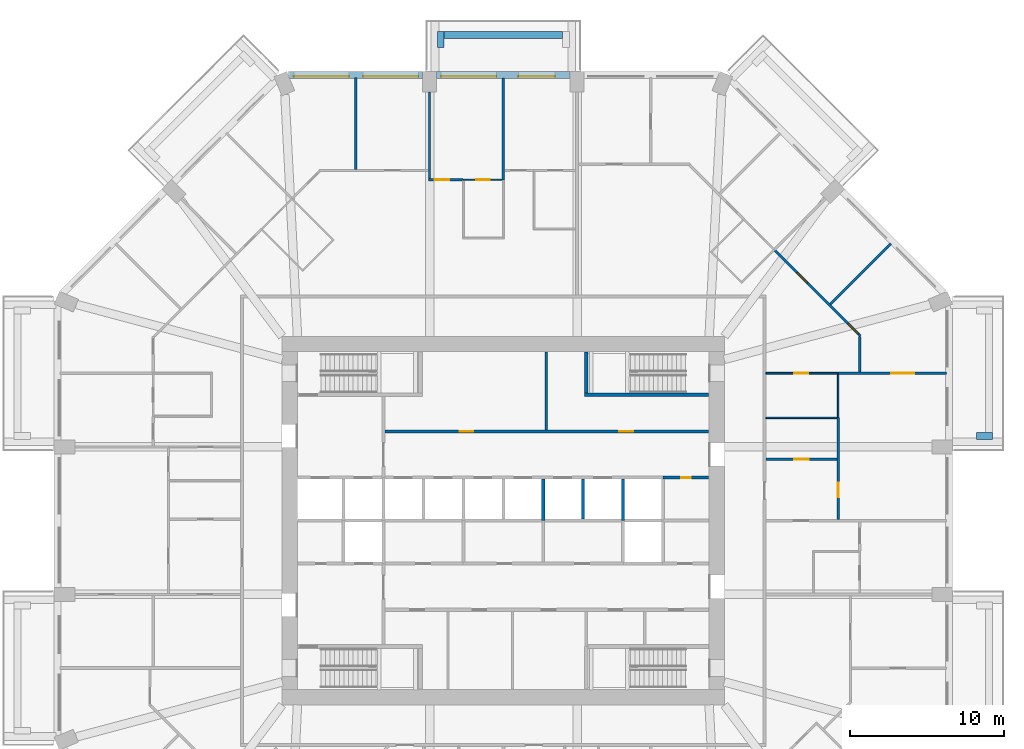
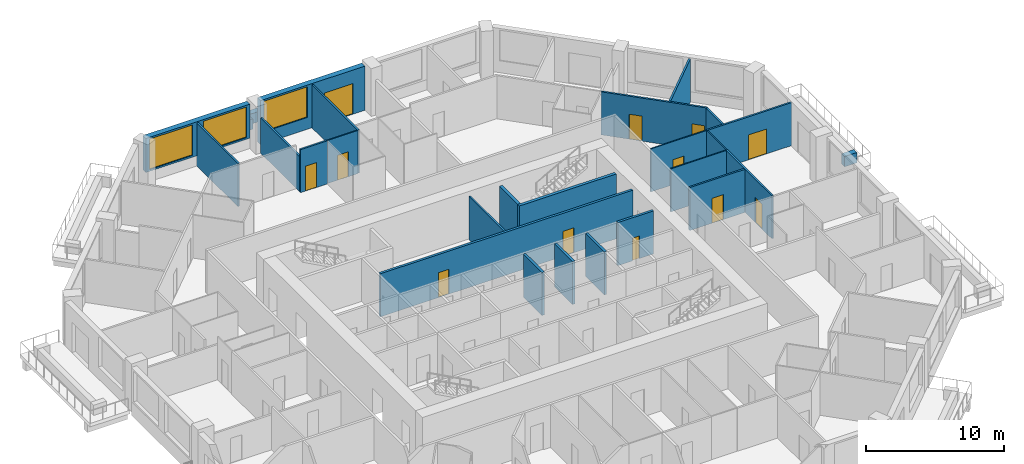
# One storey, part 9 of 13: 27 walls, 12 doors, 3 windows, 15 openings.
"""IFC4 building model written with IfcOpenShell, lengths in metres."""

from ifc_helpers import new_model, si_unit, direction, frame, frame_2d, origin, place, context, subcontext, project, spatial, rectangle, extrude, material, layer, layer_set, type_object, element, fill, save


model = new_model("IFC4")

# Units and contexts
model_context = context("Model", 3, precision=1e-05, world=origin(), true_north=direction((0.0, 1.0)))
body_context = subcontext(model_context, "Body", "Model", "MODEL_VIEW")
ifc_project = project(units=[si_unit("LENGTHUNIT", "METRE"), si_unit("AREAUNIT", "SQUARE_METRE"), si_unit("VOLUMEUNIT", "CUBIC_METRE"), si_unit("PLANEANGLEUNIT", "RADIAN"), si_unit("MASSUNIT", "GRAM", prefix="KILO")], contexts=[model_context])

# Site, building, storey
site_placement = place(None, origin())
site = spatial("IfcSite", under=ifc_project, at=site_placement, CompositionType="ELEMENT")
building_placement = place(site_placement, origin())
building = spatial("IfcBuilding", under=site, at=building_placement, Name="Msitu Wima Residences", CompositionType="ELEMENT")
storey_placement = place(building_placement, frame((0.0, 0.0, 92.699951171875)))
storey = spatial("IfcBuildingStorey", under=building, at=storey_placement, Name="L21", CompositionType="ELEMENT", Elevation=92.699951171875)

# Walls
ifc_material_1 = material(Name="Facing brick")
ifc_layer_1 = layer(ifc_material_1, 0.06494140625, Name="Facing brick")
ifc_material_2 = material(Name="Concrete C40/50", Category="concrete")
ifc_layer_2 = layer(ifc_material_2, 0.156005859375, Name="Concrete C40/50")
ifc_material_3 = material(Name="Waterproofing membrane")
ifc_layer_3 = layer(ifc_material_3, 0.00390625, Name="Waterproofing membrane")
ifc_material_4 = material(Name="Planting soil and planting")
ifc_layer_4 = layer(ifc_material_4, 0.22509765625, Name="Planting soil and planting")
ifc_layer_set_1 = layer_set([ifc_layer_1, ifc_layer_2, ifc_layer_3, ifc_layer_4], Name="Concrete C40/50")
wall_type_1 = type_object("IfcWallType", Name="Balcony planter PLANTER PL450", PredefinedType="USERDEFINED", material=ifc_layer_set_1)
wall_1_placement = place(storey_placement, frame((30.800048828125, 5.52490234375, 0.0), z_axis=(0.0, 0.0, 1.0), x_axis=(1.0, 0.0, 0.0)))
element("IfcWall", 1, at=wall_1_placement, inside=storey, type_object=wall_type_1, Name="Balcony planter E2 L21", ObjectType="PLANTER", PredefinedType="USERDEFINED", context=body_context, shape_type="SweptSolid", body=[
    extrude(rectangle(XDim=1.050048828125, YDim=0.449951171875, at=frame_2d((0.52490234375, 0.0))), origin(), (0.0, 0.0, 1.0), 0.900146484375),
])
wall_2_placement = place(storey_placement, frame((3.85009765625, 31.625, 0.0), z_axis=(0.0, 0.0, 1.0), x_axis=(-1.0, 0.0, 0.0)))
element("IfcWall", 2, at=wall_2_placement, inside=storey, type_object=wall_type_1, Name="Balcony planter N1 L21", ObjectType="PLANTER", PredefinedType="USERDEFINED", context=body_context, shape_type="SweptSolid", body=[
    extrude(rectangle(XDim=7.7001953125, YDim=0.449951171875, at=frame_2d((3.85009765625, 0.0))), origin(), (0.0, 0.0, 1.0), 0.900146484375),
])
wall_3_placement = place(storey_placement, frame((-4.074951171875, 30.800048828125, 0.0), z_axis=(0.0, 0.0, 1.0), x_axis=(0.0, 1.0, 0.0)))
element("IfcWall", 3, at=wall_3_placement, inside=storey, type_object=wall_type_1, Name="Balcony planter N1 L21", ObjectType="PLANTER", PredefinedType="USERDEFINED", context=body_context, shape_type="SweptSolid", body=[
    extrude(rectangle(XDim=1.050048828125, YDim=0.449951171875, at=frame_2d((0.52490234375, 0.0))), origin(), (0.0, 0.0, 1.0), 0.900146484375),
])

# Wall, openings, door, window
ifc_material_5 = material(Name="Brick (red buff mix)", Category="masonry")
ifc_layer_5 = layer(ifc_material_5, 0.449951171875)
ifc_layer_set_2 = layer_set([ifc_layer_5], Name="Brick (red buff mix)")
wall_type_2 = type_object("IfcWallType", Name="Brick infill wall BW450", PredefinedType="SOLIDWALL", material=ifc_layer_set_2)
wall_4_placement = place(storey_placement, frame((4.35009765625, 29.02490234375, 0.0), z_axis=(0.0, 0.0, 1.0), x_axis=(-1.0, 0.0, 0.0)))
wall_4 = element("IfcWall", 4, at=wall_4_placement, inside=storey, type_object=wall_type_2, Name="Brick infill wall L21 N1", PredefinedType="SOLIDWALL", context=body_context, shape_type="SweptSolid", body=[
    extrude(rectangle(XDim=8.7001953125, YDim=0.449951171875, at=frame_2d((4.35009765625, 0.0))), origin(), (0.0, 0.0, 1.0), 3.900146484375),
])
opening_1_placement = place(wall_4_placement, frame((0.97509765625, 0.0, 0.0)))
opening_1 = element("IfcOpeningElement", 5, at=opening_1_placement, cuts=wall_4, Name="Opening D21.003", PredefinedType="OPENING", context=body_context, shape_type="SweptSolid", body=[
    extrude(rectangle(XDim=2.39990234375, YDim=2.699951171875, at=frame_2d((1.199951171875, 1.35009765625))), frame((0.0, 0.23486328125, 0.0), z_axis=(0.0, -1.0, 0.0), x_axis=(1.0, 0.0, 0.0)), (0.0, 0.0, 1.0), 0.469970703125),
])
opening_2_placement = place(wall_4_placement, frame((4.800048828125, 0.0, 1.050048828125)))
opening_2 = element("IfcOpeningElement", 6, at=opening_2_placement, cuts=wall_4, Name="Opening W21.007", PredefinedType="OPENING", context=body_context, shape_type="SweptSolid", body=[
    extrude(rectangle(XDim=3.60009765625, YDim=2.699951171875, at=frame_2d((1.800048828125, 1.35009765625))), frame((0.0, 0.23486328125, 0.0), z_axis=(0.0, -1.0, 0.0), x_axis=(1.0, 0.0, 0.0)), (0.0, 0.0, 1.0), 0.469970703125),
])
ifc_material_6 = material(Name="Anodised aluminium, bronze finish, clear low-emissivity double glazing", Category="aluminium")
door_type_1 = type_object("IfcDoorType", Name="Balcony door D2400x2700", OperationType="SLIDING_TO_LEFT", PredefinedType="DOOR", material=ifc_material_6)
door_1_placement = place(opening_1_placement, origin())
door_1 = element("IfcDoor", 7, at=door_1_placement, inside=storey, type_object=door_type_1, Name="Balcony door L21 N1", OperationType="SINGLE_SWING_LEFT", OverallHeight=2.699951171875, OverallWidth=2.39990234375, PredefinedType="DOOR", context=body_context, shape_type="SweptSolid", body=[
    extrude(rectangle(XDim=2.39990234375, YDim=2.699951171875, at=frame_2d((1.199951171875, 1.35009765625))), frame((0.0, 0.1298828125, 0.0), z_axis=(0.0, -1.0, 0.0), x_axis=(1.0, 0.0, 0.0)), (0.0, 0.0, 1.0), 0.050048828125),
])
fill(opening_1, door_1)
window_type = type_object("IfcWindowType", Name="Window W3600x2700", PartitioningType="DOUBLE_PANEL_VERTICAL", PredefinedType="WINDOW", material=ifc_material_6)
window_1_placement = place(opening_2_placement, origin())
window_1 = element("IfcWindow", 8, at=window_1_placement, inside=storey, type_object=window_type, Name="Window L21 N1.2", OverallHeight=2.699951171875, OverallWidth=3.60009765625, PartitioningType="SINGLE_PANEL", PredefinedType="WINDOW", context=body_context, shape_type="SweptSolid", body=[
    extrude(rectangle(XDim=3.60009765625, YDim=2.699951171875, at=frame_2d((1.800048828125, 1.35009765625))), frame((0.0, 0.135009765625, 0.0), z_axis=(0.0, -1.0, 0.0), x_axis=(1.0, 0.0, 0.0)), (0.0, 0.0, 1.0), 0.06005859375),
])
fill(opening_2, window_1)

# Wall, openings, windows
wall_5_placement = place(storey_placement, frame((-5.25, 29.02490234375, 0.900146484375), z_axis=(0.0, 0.0, 1.0), x_axis=(-1.0, 0.0, 0.0)))
wall_5 = element("IfcWall", 9, at=wall_5_placement, inside=storey, type_object=wall_type_2, Name="Brick infill wall L21 N2", PredefinedType="SOLIDWALL", context=body_context, shape_type="SweptSolid", body=[
    extrude(rectangle(XDim=8.662841796875, YDim=0.449951171875, at=frame_2d((4.33154296875, 0.0))), origin(), (0.0, 0.0, 1.0), 3.0),
])
opening_3_placement = place(wall_5_placement, frame((0.281494140625, 0.0, 0.14990234375)))
opening_3 = element("IfcOpeningElement", 10, at=opening_3_placement, cuts=wall_5, Name="Opening W21.008", PredefinedType="OPENING", context=body_context, shape_type="SweptSolid", body=[
    extrude(rectangle(XDim=3.60009765625, YDim=2.699951171875, at=frame_2d((1.800048828125, 1.35009765625))), frame((0.0, 0.23486328125, 0.0), z_axis=(0.0, -1.0, 0.0), x_axis=(1.0, 0.0, 0.0)), (0.0, 0.0, 1.0), 0.469970703125),
])
opening_4_placement = place(wall_5_placement, frame((4.781494140625, 0.0, 0.14990234375)))
opening_4 = element("IfcOpeningElement", 11, at=opening_4_placement, cuts=wall_5, Name="Opening W21.009", PredefinedType="OPENING", context=body_context, shape_type="SweptSolid", body=[
    extrude(rectangle(XDim=3.60009765625, YDim=2.699951171875, at=frame_2d((1.800048828125, 1.35009765625))), frame((0.0, 0.23486328125, 0.0), z_axis=(0.0, -1.0, 0.0), x_axis=(1.0, 0.0, 0.0)), (0.0, 0.0, 1.0), 0.469970703125),
])
window_2_placement = place(opening_3_placement, origin())
window_2 = element("IfcWindow", 12, at=window_2_placement, inside=storey, type_object=window_type, Name="Window L21 N2.1", OverallHeight=2.699951171875, OverallWidth=3.60009765625, PartitioningType="SINGLE_PANEL", PredefinedType="WINDOW", context=body_context, shape_type="SweptSolid", body=[
    extrude(rectangle(XDim=3.60009765625, YDim=2.699951171875, at=frame_2d((1.800048828125, 1.35009765625))), frame((0.0, 0.135009765625, 0.0), z_axis=(0.0, -1.0, 0.0), x_axis=(1.0, 0.0, 0.0)), (0.0, 0.0, 1.0), 0.06005859375),
])
fill(opening_3, window_2)
window_3_placement = place(opening_4_placement, origin())
window_3 = element("IfcWindow", 13, at=window_3_placement, inside=storey, type_object=window_type, Name="Window L21 N2.2", OverallHeight=2.699951171875, OverallWidth=3.60009765625, PartitioningType="SINGLE_PANEL", PredefinedType="WINDOW", context=body_context, shape_type="SweptSolid", body=[
    extrude(rectangle(XDim=3.60009765625, YDim=2.699951171875, at=frame_2d((1.800048828125, 1.35009765625))), frame((0.0, 0.135009765625, 0.0), z_axis=(0.0, -1.0, 0.0), x_axis=(1.0, 0.0, 0.0)), (0.0, 0.0, 1.0), 0.06005859375),
])
fill(opening_4, window_3)

# Wall, openings, doors
ifc_material_7 = material(Name="Plaster")
ifc_layer_6 = layer(ifc_material_7, 0.011962890625, Name="Plaster")
ifc_material_8 = material(Name="Concrete blockwork", Category="masonry")
ifc_layer_7 = layer(ifc_material_8, 0.176025390625, Name="Concrete blockwork")
ifc_layer_8 = layer(ifc_material_7, 0.011962890625, Name="Plaster")
ifc_layer_set_3 = layer_set([ifc_layer_6, ifc_layer_7, ifc_layer_8], Name="Concrete blockwork")
wall_type_3 = type_object("IfcWallType", Name="Corridor wall FW200", PredefinedType="PARTITIONING", material=ifc_layer_set_3)
wall_6_placement = place(storey_placement, frame((-7.699951171875, 5.800048828125, 0.0), z_axis=(0.0, 0.0, 1.0), x_axis=(1.0, 0.0, 0.0)))
wall_6 = element("IfcWall", 14, at=wall_6_placement, inside=storey, type_object=wall_type_3, Name="Corridor wall", PredefinedType="PARTITIONING", context=body_context, shape_type="SweptSolid", body=[
    extrude(rectangle(XDim=21.070068359375, YDim=0.199951171875, at=frame_2d((10.53515625, 0.0))), origin(), (0.0, 0.0, 1.0), 3.798095703125),
])
opening_5_placement = place(wall_6_placement, frame((4.85009765625, 0.0, 0.0)))
opening_5 = element("IfcOpeningElement", 15, at=opening_5_placement, cuts=wall_6, Name="Opening D21.020", PredefinedType="OPENING", context=body_context, shape_type="SweptSolid", body=[
    extrude(rectangle(XDim=0.89990234375, YDim=2.199951171875, at=frame_2d((0.449951171875, 1.10009765625))), frame((0.0, 0.10986328125, 0.0), z_axis=(0.0, -1.0, 0.0), x_axis=(1.0, 0.0, 0.0)), (0.0, 0.0, 1.0), 0.219970703125),
])
opening_6_placement = place(wall_6_placement, frame((15.25, 0.0, 0.0)))
opening_6 = element("IfcOpeningElement", 16, at=opening_6_placement, cuts=wall_6, Name="Opening D21.021", PredefinedType="OPENING", context=body_context, shape_type="SweptSolid", body=[
    extrude(rectangle(XDim=0.89990234375, YDim=2.199951171875, at=frame_2d((0.449951171875, 1.10009765625))), frame((0.0, 0.10986328125, 0.0), z_axis=(0.0, -1.0, 0.0), x_axis=(1.0, 0.0, 0.0)), (0.0, 0.0, 1.0), 0.219970703125),
])
ifc_material_9 = material(Name="Timber flush door", Category="wood")
door_type_2 = type_object("IfcDoorType", Name="Service door D05 900x2200", OperationType="SINGLE_SWING_LEFT", PredefinedType="DOOR", material=ifc_material_9)
door_2_placement = place(opening_5_placement, origin())
door_2 = element("IfcDoor", 17, at=door_2_placement, inside=storey, type_object=door_type_2, Name="Service door", OperationType="SINGLE_SWING_LEFT", OverallHeight=2.199951171875, OverallWidth=0.89990234375, PredefinedType="DOOR", context=body_context, shape_type="SweptSolid", body=[
    extrude(rectangle(XDim=0.89990234375, YDim=2.199951171875, at=frame_2d((0.449951171875, 1.10009765625))), frame((0.0, 0.02490234375, 0.0), z_axis=(0.0, -1.0, 0.0), x_axis=(1.0, 0.0, 0.0)), (0.0, 0.0, 1.0), 0.050048828125),
])
fill(opening_5, door_2)
door_3_placement = place(opening_6_placement, origin())
door_3 = element("IfcDoor", 18, at=door_3_placement, inside=storey, type_object=door_type_2, Name="Service door", OperationType="SINGLE_SWING_RIGHT", OverallHeight=2.199951171875, OverallWidth=0.89990234375, PredefinedType="DOOR", context=body_context, shape_type="SweptSolid", body=[
    extrude(rectangle(XDim=0.89990234375, YDim=2.199951171875, at=frame_2d((0.449951171875, 1.10009765625))), frame((0.0, 0.02490234375, 0.0), z_axis=(0.0, -1.0, 0.0), x_axis=(1.0, 0.0, 0.0)), (0.0, 0.0, 1.0), 0.050048828125),
])
fill(opening_6, door_3)

# Walls
ifc_layer_9 = layer(ifc_material_7, 0.011962890625, Name="Plaster")
ifc_layer_10 = layer(ifc_material_8, 0.1259765625, Name="Concrete blockwork")
ifc_layer_11 = layer(ifc_material_7, 0.011962890625, Name="Plaster")
ifc_layer_set_4 = layer_set([ifc_layer_9, ifc_layer_10, ifc_layer_11], Name="Concrete blockwork")
wall_type_4 = type_object("IfcWallType", Name="Partition PW150", PredefinedType="PARTITIONING", material=ifc_layer_set_4)
wall_7_placement = place(storey_placement, frame((-9.60009765625, 22.875, 0.0), z_axis=(0.0, 0.0, 1.0), x_axis=(0.0, 1.0, 0.0)))
element("IfcWall", 19, at=wall_7_placement, inside=storey, type_object=wall_type_4, Name="Partition", PredefinedType="PARTITIONING", context=body_context, shape_type="SweptSolid", body=[
    extrude(rectangle(XDim=5.97998046875, YDim=0.14990234375, at=frame_2d((2.989990234375, 0.0))), origin(), (0.0, 0.0, 1.0), 3.798095703125),
])
wall_8_placement = place(storey_placement, frame((-4.800048828125, 22.27490234375, 0.0), z_axis=(0.0, 0.0, 1.0), x_axis=(0.0, 1.0, 0.0)))
element("IfcWall", 20, at=wall_8_placement, inside=storey, type_object=wall_type_4, Name="Partition", PredefinedType="PARTITIONING", context=body_context, shape_type="SweptSolid", body=[
    extrude(rectangle(XDim=5.625, YDim=0.14990234375, at=frame_2d((2.8125, 0.0))), origin(), (0.0, 0.0, 1.0), 3.10009765625),
])

# Wall, opening, door
wall_9_placement = place(storey_placement, frame((-4.875, 22.199951171875, 0.0), z_axis=(0.0, 0.0, 1.0), x_axis=(1.0, 0.0, 0.0)))
wall_9 = element("IfcWall", 21, at=wall_9_placement, inside=storey, type_object=wall_type_4, Name="Partition", PredefinedType="PARTITIONING", context=body_context, shape_type="SweptSolid", body=[
    extrude(rectangle(XDim=2.2548828125, YDim=0.14990234375, at=frame_2d((1.12744140625, 0.0))), origin(), (0.0, 0.0, 1.0), 3.798095703125),
])
opening_7_placement = place(wall_9_placement, frame((0.39990234375, 0.0, 0.0)))
opening_7 = element("IfcOpeningElement", 22, at=opening_7_placement, cuts=wall_9, Name="Opening D21.060", PredefinedType="OPENING", context=body_context, shape_type="SweptSolid", body=[
    extrude(rectangle(XDim=0.949951171875, YDim=2.199951171875, at=frame_2d((0.47509765625, 1.10009765625))), frame((0.0, 0.0849609375, 0.0), z_axis=(0.0, -1.0, 0.0), x_axis=(1.0, 0.0, 0.0)), (0.0, 0.0, 1.0), 0.169921875),
])
door_type_3 = type_object("IfcDoorType", Name="Room door D12 950x2200", OperationType="SINGLE_SWING_LEFT", PredefinedType="DOOR", material=ifc_material_9)
door_4_placement = place(opening_7_placement, origin())
door_4 = element("IfcDoor", 23, at=door_4_placement, inside=storey, type_object=door_type_3, Name="Room door", OperationType="SINGLE_SWING_LEFT", OverallHeight=2.199951171875, OverallWidth=0.949951171875, PredefinedType="DOOR", context=body_context, shape_type="SweptSolid", body=[
    extrude(rectangle(XDim=0.949951171875, YDim=2.199951171875, at=frame_2d((0.47509765625, 1.10009765625))), frame((0.0, 0.02490234375, 0.0), z_axis=(0.0, -1.0, 0.0), x_axis=(1.0, 0.0, 0.0)), (0.0, 0.0, 1.0), 0.050048828125),
])
fill(opening_7, door_4)

# Walls
wall_10_placement = place(storey_placement, frame((0.0, 22.179931640625, 0.0), z_axis=(0.0, 0.0, 1.0), x_axis=(0.0, 1.0, 0.0)))
element("IfcWall", 24, at=wall_10_placement, inside=storey, type_object=wall_type_4, Name="Partition", PredefinedType="PARTITIONING", context=body_context, shape_type="SweptSolid", body=[
    extrude(rectangle(XDim=6.64501953125, YDim=0.14990234375, at=frame_2d((3.322509765625, 0.0))), origin(), (0.0, 0.0, 1.0), 3.798095703125),
])
wall_11_placement = place(storey_placement, frame((2.800048828125, 5.89990234375, 0.0), z_axis=(0.0, 0.0, 1.0), x_axis=(0.0, 1.0, 0.0)))
element("IfcWall", 25, at=wall_11_placement, inside=storey, type_object=wall_type_4, Name="Partition", PredefinedType="PARTITIONING", context=body_context, shape_type="SweptSolid", body=[
    extrude(rectangle(XDim=5.070068359375, YDim=0.14990234375, at=frame_2d((2.53515625, 0.0))), origin(), (0.0, 0.0, 1.0), 3.798095703125),
])

# Wall, opening, door
wall_12_placement = place(storey_placement, frame((17.10009765625, 4.0, 0.0), z_axis=(0.0, 0.0, 1.0), x_axis=(1.0, 0.0, 0.0)))
wall_12 = element("IfcWall", 26, at=wall_12_placement, inside=storey, type_object=wall_type_4, Name="Partition", PredefinedType="PARTITIONING", context=body_context, shape_type="SweptSolid", body=[
    extrude(rectangle(XDim=4.625, YDim=0.14990234375, at=frame_2d((2.3125, 0.0))), origin(), (0.0, 0.0, 1.0), 3.798095703125),
])
opening_8_placement = place(wall_12_placement, frame((1.85009765625, 0.0, 0.0)))
opening_8 = element("IfcOpeningElement", 27, at=opening_8_placement, cuts=wall_12, Name="Opening D21.086", PredefinedType="OPENING", context=body_context, shape_type="SweptSolid", body=[
    extrude(rectangle(XDim=0.949951171875, YDim=2.199951171875, at=frame_2d((0.47509765625, 1.10009765625))), frame((0.0, 0.0849609375, 0.0), z_axis=(0.0, -1.0, 0.0), x_axis=(1.0, 0.0, 0.0)), (0.0, 0.0, 1.0), 0.169921875),
])
door_5_placement = place(opening_8_placement, origin())
door_5 = element("IfcDoor", 28, at=door_5_placement, inside=storey, type_object=door_type_3, Name="Room door", OperationType="SINGLE_SWING_RIGHT", OverallHeight=2.199951171875, OverallWidth=0.949951171875, PredefinedType="DOOR", context=body_context, shape_type="SweptSolid", body=[
    extrude(rectangle(XDim=0.949951171875, YDim=2.199951171875, at=frame_2d((0.47509765625, 1.10009765625))), frame((0.0, 0.02490234375, 0.0), z_axis=(0.0, -1.0, 0.0), x_axis=(1.0, 0.0, 0.0)), (0.0, 0.0, 1.0), 0.050048828125),
])
fill(opening_8, door_5)

# Wall, openings, doors
wall_13_placement = place(storey_placement, frame((17.64013671875, 17.64013671875, 0.0), z_axis=(0.0, 0.0, 1.0), x_axis=(0.707106781187, -0.707106781187, 0.0)))
wall_13 = element("IfcWall", 29, at=wall_13_placement, inside=storey, type_object=wall_type_4, Name="Partition", PredefinedType="PARTITIONING", context=body_context, shape_type="SweptSolid", body=[
    extrude(rectangle(XDim=7.937744140625, YDim=0.14990234375, at=frame_2d((3.96875, 0.0))), origin(), (0.0, 0.0, 1.0), 3.798095703125),
])
opening_9_placement = place(wall_13_placement, frame((6.800048828125, 0.0, 0.0)))
opening_9 = element("IfcOpeningElement", 30, at=opening_9_placement, cuts=wall_13, Name="Opening D21.087", PredefinedType="OPENING", context=body_context, shape_type="SweptSolid", body=[
    extrude(rectangle(XDim=0.949951171875, YDim=2.199951171875, at=frame_2d((0.47509765625, 1.10009765625))), frame((0.0, 0.0849609375, 0.0), z_axis=(0.0, -1.0, 0.0), x_axis=(1.0, 0.0, 0.0)), (0.0, 0.0, 1.0), 0.169921875),
])
opening_10_placement = place(wall_13_placement, frame((2.10009765625, 0.0, 0.0)))
opening_10 = element("IfcOpeningElement", 31, at=opening_10_placement, cuts=wall_13, Name="Opening D21.088", PredefinedType="OPENING", context=body_context, shape_type="SweptSolid", body=[
    extrude(rectangle(XDim=0.949951171875, YDim=2.199951171875, at=frame_2d((0.47509765625, 1.10009765625))), frame((0.0, 0.0849609375, 0.0), z_axis=(0.0, -1.0, 0.0), x_axis=(1.0, 0.0, 0.0)), (0.0, 0.0, 1.0), 0.169921875),
])
door_6_placement = place(opening_9_placement, origin())
door_6 = element("IfcDoor", 32, at=door_6_placement, inside=storey, type_object=door_type_3, Name="Room door", OperationType="SINGLE_SWING_LEFT", OverallHeight=2.199951171875, OverallWidth=0.949951171875, PredefinedType="DOOR", context=body_context, shape_type="SweptSolid", body=[
    extrude(rectangle(XDim=0.949951171875, YDim=2.199951171875, at=frame_2d((0.47509765625, 1.10009765625))), frame((0.0, 0.02490234375, 0.0), z_axis=(0.0, -1.0, 0.0), x_axis=(1.0, 0.0, 0.0)), (0.0, 0.0, 1.0), 0.050048828125),
])
fill(opening_9, door_6)
door_7_placement = place(opening_10_placement, origin())
door_7 = element("IfcDoor", 33, at=door_7_placement, inside=storey, type_object=door_type_3, Name="Room door", OperationType="SINGLE_SWING_RIGHT", OverallHeight=2.199951171875, OverallWidth=0.949951171875, PredefinedType="DOOR", context=body_context, shape_type="SweptSolid", body=[
    extrude(rectangle(XDim=0.949951171875, YDim=2.199951171875, at=frame_2d((0.47509765625, 1.10009765625))), frame((0.0, 0.02490234375, 0.0), z_axis=(0.0, -1.0, 0.0), x_axis=(1.0, 0.0, 0.0)), (0.0, 0.0, 1.0), 0.050048828125),
])
fill(opening_10, door_7)

# Wall
wall_14_placement = place(storey_placement, frame((21.293212890625, 14.09326171875, 0.0), z_axis=(0.0, 0.0, 1.0), x_axis=(0.707106781187, 0.707106781187, 0.0)))
element("IfcWall", 34, at=wall_14_placement, inside=storey, type_object=wall_type_4, Name="Partition", PredefinedType="PARTITIONING", context=body_context, shape_type="SweptSolid", body=[
    extrude(rectangle(XDim=5.579833984375, YDim=0.14990234375, at=frame_2d((2.7900390625, 0.0))), origin(), (0.0, 0.0, 1.0), 3.798095703125),
])

# Wall, opening, door
wall_15_placement = place(storey_placement, frame((21.800048828125, 0.074951171875, 0.0), z_axis=(0.0, 0.0, 1.0), x_axis=(0.0, 1.0, 0.0)))
wall_15 = element("IfcWall", 35, at=wall_15_placement, inside=storey, type_object=wall_type_4, Name="Partition", PredefinedType="PARTITIONING", context=body_context, shape_type="SweptSolid", body=[
    extrude(rectangle(XDim=6.64501953125, YDim=0.14990234375, at=frame_2d((3.322509765625, 0.0))), origin(), (0.0, 0.0, 1.0), 3.798095703125),
])
opening_11_placement = place(wall_15_placement, frame((1.449951171875, 0.0, 0.0)))
opening_11 = element("IfcOpeningElement", 36, at=opening_11_placement, cuts=wall_15, Name="Opening D21.051", PredefinedType="OPENING", context=body_context, shape_type="SweptSolid", body=[
    extrude(rectangle(XDim=0.949951171875, YDim=2.199951171875, at=frame_2d((0.47509765625, 1.10009765625))), frame((0.0, 0.0849609375, 0.0), z_axis=(0.0, -1.0, 0.0), x_axis=(1.0, 0.0, 0.0)), (0.0, 0.0, 1.0), 0.169921875),
])
door_8_placement = place(opening_11_placement, origin())
door_8 = element("IfcDoor", 37, at=door_8_placement, inside=storey, type_object=door_type_3, Name="Room door", OperationType="SINGLE_SWING_RIGHT", OverallHeight=2.199951171875, OverallWidth=0.949951171875, PredefinedType="DOOR", context=body_context, shape_type="SweptSolid", body=[
    extrude(rectangle(XDim=0.949951171875, YDim=2.199951171875, at=frame_2d((0.47509765625, 1.10009765625))), frame((0.0, 0.02490234375, 0.0), z_axis=(0.0, -1.0, 0.0), x_axis=(1.0, 0.0, 0.0)), (0.0, 0.0, 1.0), 0.050048828125),
])
fill(opening_11, door_8)

wall_16_placement = place(storey_placement, frame((21.800048828125, 9.60009765625, 0.0), z_axis=(0.0, 0.0, 1.0), x_axis=(1.0, 0.0, 0.0)))
wall_16 = element("IfcWall", 38, at=wall_16_placement, inside=storey, type_object=wall_type_4, Name="Partition", PredefinedType="PARTITIONING", context=body_context, shape_type="SweptSolid", body=[
    extrude(rectangle(XDim=7.054931640625, YDim=0.14990234375, at=frame_2d((3.52734375, 0.0))), origin(), (0.0, 0.0, 1.0), 3.798095703125),
])
opening_12_placement = place(wall_16_placement, frame((3.449951171875, 0.0, 0.0)))
opening_12 = element("IfcOpeningElement", 39, at=opening_12_placement, cuts=wall_16, Name="Opening D21.062", PredefinedType="OPENING", context=body_context, shape_type="SweptSolid", body=[
    extrude(rectangle(XDim=1.5, YDim=2.199951171875, at=frame_2d((0.75, 1.10009765625))), frame((0.0, 0.0849609375, 0.0), z_axis=(0.0, -1.0, 0.0), x_axis=(1.0, 0.0, 0.0)), (0.0, 0.0, 1.0), 0.169921875),
])
ifc_material_10 = material(Name="Timber double door", Category="wood")
door_type_4 = type_object("IfcDoorType", Name="Double door D04 1500x2200", OperationType="DOUBLE_DOOR_SINGLE_SWING", PredefinedType="DOOR", material=ifc_material_10)
door_9_placement = place(opening_12_placement, origin())
door_9 = element("IfcDoor", 40, at=door_9_placement, inside=storey, type_object=door_type_4, Name="Double door", OperationType="DOUBLE_DOOR_SINGLE_SWING", OverallHeight=2.199951171875, OverallWidth=1.5, PredefinedType="DOOR", context=body_context, shape_type="SweptSolid", body=[
    extrude(rectangle(XDim=1.5, YDim=2.199951171875, at=frame_2d((0.75, 1.10009765625))), frame((0.0, 0.02490234375, 0.0), z_axis=(0.0, -1.0, 0.0), x_axis=(1.0, 0.0, 0.0)), (0.0, 0.0, 1.0), 0.050048828125),
])
fill(opening_12, door_9)

# Wall
wall_17_placement = place(storey_placement, frame((23.199951171875, 9.675048828125, 0.0), z_axis=(0.0, 0.0, 1.0), x_axis=(0.0, 1.0, 0.0)))
element("IfcWall", 41, at=wall_17_placement, inside=storey, type_object=wall_type_4, Name="Partition", PredefinedType="PARTITIONING", context=body_context, shape_type="SweptSolid", body=[
    extrude(rectangle(XDim=2.330322265625, YDim=0.14990234375, at=frame_2d((1.1650390625, 0.0))), origin(), (0.0, 0.0, 1.0), 3.798095703125),
])

# Wall, opening, door
ifc_layer_12 = layer(ifc_material_7, 0.011962890625, Name="Plaster")
ifc_material_11 = material(Name="Reinforced concrete blockwork", Category="masonry")
ifc_layer_13 = layer(ifc_material_11, 0.176025390625, Name="Reinforced concrete blockwork")
ifc_layer_14 = layer(ifc_material_7, 0.011962890625, Name="Plaster")
ifc_layer_set_5 = layer_set([ifc_layer_12, ifc_layer_13, ifc_layer_14], Name="Reinforced concrete blockwork")
wall_type_5 = type_object("IfcWallType", Name="Plant and riser wall PL200", PredefinedType="PARTITIONING", material=ifc_layer_set_5)
wall_18_placement = place(storey_placement, frame((10.39990234375, 2.800048828125, 0.0), z_axis=(0.0, 0.0, 1.0), x_axis=(1.0, 0.0, 0.0)))
wall_18 = element("IfcWall", 42, at=wall_18_placement, inside=storey, type_object=wall_type_5, Name="Plant and riser wall", PredefinedType="PARTITIONING", context=body_context, shape_type="SweptSolid", body=[
    extrude(rectangle(XDim=2.97021484375, YDim=0.199951171875, at=frame_2d((1.485107421875, 0.0))), origin(), (0.0, 0.0, 1.0), 3.798095703125),
])
opening_13_placement = place(wall_18_placement, frame((1.199951171875, 0.0, 0.0)))
opening_13 = element("IfcOpeningElement", 43, at=opening_13_placement, cuts=wall_18, Name="Opening D21.029", PredefinedType="OPENING", context=body_context, shape_type="SweptSolid", body=[
    extrude(rectangle(XDim=0.60009765625, YDim=2.0, at=frame_2d((0.300048828125, 1.0))), frame((0.0, 0.10986328125, 0.0), z_axis=(0.0, -1.0, 0.0), x_axis=(1.0, 0.0, 0.0)), (0.0, 0.0, 1.0), 0.219970703125),
])
ifc_material_12 = material(Name="Steel access door, fire resisting", Category="steel")
door_type_5 = type_object("IfcDoorType", Name="Riser access door D08 600x2000", OperationType="SINGLE_SWING_LEFT", PredefinedType="DOOR", material=ifc_material_12)
door_10_placement = place(opening_13_placement, origin())
door_10 = element("IfcDoor", 44, at=door_10_placement, inside=storey, type_object=door_type_5, Name="Riser access door", OperationType="SINGLE_SWING_RIGHT", OverallHeight=2.0, OverallWidth=0.60009765625, PredefinedType="DOOR", context=body_context, shape_type="SweptSolid", body=[
    extrude(rectangle(XDim=0.60009765625, YDim=2.0, at=frame_2d((0.300048828125, 1.0))), frame((0.0, 0.02490234375, 0.0), z_axis=(0.0, -1.0, 0.0), x_axis=(1.0, 0.0, 0.0)), (0.0, 0.0, 1.0), 0.050048828125),
])
fill(opening_13, door_10)

# Walls
ifc_material_13 = material(Name="Fire-rated board")
ifc_layer_15 = layer(ifc_material_13, 0.02490234375, Name="Fire-rated board")
ifc_material_14 = material(Name="Light-gauge stud framing with mineral wool")
ifc_layer_16 = layer(ifc_material_14, 0.14990234375, Name="Light-gauge stud framing with mineral wool")
ifc_layer_17 = layer(ifc_material_13, 0.02490234375, Name="Fire-rated board")
ifc_layer_set_6 = layer_set([ifc_layer_15, ifc_layer_16, ifc_layer_17], Name="Light-gauge stud framing with mineral wool")
wall_type_6 = type_object("IfcWallType", Name="Shaft wall SH200", PredefinedType="PARTITIONING", material=ifc_layer_set_6)
wall_19_placement = place(storey_placement, frame((2.60009765625, 0.0, 0.0), z_axis=(0.0, 0.0, 1.0), x_axis=(0.0, 1.0, 0.0)))
element("IfcWall", 45, at=wall_19_placement, inside=storey, type_object=wall_type_6, Name="Shaft wall", PredefinedType="PARTITIONING", context=body_context, shape_type="SweptSolid", body=[
    extrude(rectangle(XDim=2.699951171875, YDim=0.199951171875, at=frame_2d((1.35009765625, 0.0))), origin(), (0.0, 0.0, 1.0), 3.798095703125),
])
wall_20_placement = place(storey_placement, frame((5.199951171875, 0.10009765625, 0.0), z_axis=(0.0, 0.0, 1.0), x_axis=(0.0, 1.0, 0.0)))
element("IfcWall", 46, at=wall_20_placement, inside=storey, type_object=wall_type_6, Name="Shaft wall", PredefinedType="PARTITIONING", context=body_context, shape_type="SweptSolid", body=[
    extrude(rectangle(XDim=2.599853515625, YDim=0.199951171875, at=frame_2d((1.2998046875, 0.0))), origin(), (0.0, 0.0, 1.0), 3.798095703125),
])
wall_21_placement = place(storey_placement, frame((7.800048828125, 0.0, 0.0), z_axis=(0.0, 0.0, 1.0), x_axis=(0.0, 1.0, 0.0)))
element("IfcWall", 47, at=wall_21_placement, inside=storey, type_object=wall_type_6, Name="Shaft wall", PredefinedType="PARTITIONING", context=body_context, shape_type="SweptSolid", body=[
    extrude(rectangle(XDim=2.699951171875, YDim=0.199951171875, at=frame_2d((1.35009765625, 0.0))), origin(), (0.0, 0.0, 1.0), 3.798095703125),
])
ifc_material_15 = material(Name="Concrete C50/60", Category="concrete")
ifc_layer_18 = layer(ifc_material_15, 0.25)
ifc_layer_set_7 = layer_set([ifc_layer_18], Name="Concrete C50/60")
wall_type_7 = type_object("IfcWallType", Name="Stair enclosure wall SW250", PredefinedType="SHEAR", material=ifc_layer_set_7)
wall_22_placement = place(storey_placement, frame((5.39990234375, 8.324951171875, 0.0), z_axis=(0.0, 0.0, 1.0), x_axis=(0.0, 1.0, 0.0)))
element("IfcWall", 48, at=wall_22_placement, inside=storey, type_object=wall_type_7, Name="Stair enclosure wall", PredefinedType="SHEAR", context=body_context, shape_type="SweptSolid", body=[
    extrude(rectangle(XDim=2.64501953125, YDim=0.25, at=frame_2d((1.322509765625, 0.0))), origin(), (0.0, 0.0, 1.0), 3.798095703125),
])
wall_23_placement = place(storey_placement, frame((5.27490234375, 8.199951171875, 0.0), z_axis=(0.0, 0.0, 1.0), x_axis=(1.0, 0.0, 0.0)))
element("IfcWall", 49, at=wall_23_placement, inside=storey, type_object=wall_type_7, Name="Stair enclosure wall", PredefinedType="SHEAR", context=body_context, shape_type="SweptSolid", body=[
    extrude(rectangle(XDim=8.09521484375, YDim=0.25, at=frame_2d((4.047607421875, 0.0))), origin(), (0.0, 0.0, 1.0), 3.798095703125),
])

# Wall, opening, door
ifc_material_16 = material(Name="Ceramic tiles")
ifc_layer_19 = layer(ifc_material_16, 0.008056640625, Name="Ceramic tiles")
ifc_material_17 = material(Name="Moisture-resistant board")
ifc_layer_20 = layer(ifc_material_17, 0.012451171875, Name="Moisture-resistant board")
ifc_layer_21 = layer(ifc_material_14, 0.06689453125, Name="Light-gauge stud framing with mineral wool")
ifc_layer_22 = layer(ifc_material_17, 0.012451171875, Name="Moisture-resistant board")
ifc_layer_set_8 = layer_set([ifc_layer_19, ifc_layer_20, ifc_layer_21, ifc_layer_22], Name="Light-gauge stud framing with mineral wool")
wall_type_8 = type_object("IfcWallType", Name="Wet wall PW100", PredefinedType="PARTITIONING", material=ifc_layer_set_8)
wall_24_placement = place(storey_placement, frame((-2.6201171875, 22.199951171875, 0.0), z_axis=(0.0, 0.0, 1.0), x_axis=(1.0, 0.0, 0.0)))
wall_24 = element("IfcWall", 50, at=wall_24_placement, inside=storey, type_object=wall_type_8, Name="Wet wall", PredefinedType="PARTITIONING", context=body_context, shape_type="SweptSolid", body=[
    extrude(rectangle(XDim=2.545166015625, YDim=0.10009765625, at=frame_2d((1.2724609375, 0.0))), origin(), (0.0, 0.0, 1.0), 3.798095703125),
])
opening_14_placement = place(wall_24_placement, frame((0.85009765625, 0.0, 0.0)))
opening_14 = element("IfcOpeningElement", 51, at=opening_14_placement, cuts=wall_24, Name="Opening D21.061", PredefinedType="OPENING", context=body_context, shape_type="SweptSolid", body=[
    extrude(rectangle(XDim=0.89990234375, YDim=2.199951171875, at=frame_2d((0.449951171875, 1.10009765625))), frame((0.0, 0.06005859375, 0.0), z_axis=(0.0, -1.0, 0.0), x_axis=(1.0, 0.0, 0.0)), (0.0, 0.0, 1.0), 0.1201171875),
])
ifc_material_18 = material(Name="Timber flush door, moisture resistant", Category="wood")
door_type_6 = type_object("IfcDoorType", Name="Bathroom door D03 900x2200", OperationType="SINGLE_SWING_LEFT", PredefinedType="DOOR", material=ifc_material_18)
door_11_placement = place(opening_14_placement, origin())
door_11 = element("IfcDoor", 52, at=door_11_placement, inside=storey, type_object=door_type_6, Name="Bathroom door", OperationType="SINGLE_SWING_RIGHT", OverallHeight=2.199951171875, OverallWidth=0.89990234375, PredefinedType="DOOR", context=body_context, shape_type="SweptSolid", body=[
    extrude(rectangle(XDim=0.89990234375, YDim=2.199951171875, at=frame_2d((0.449951171875, 1.10009765625))), frame((0.0, 0.02490234375, 0.0), z_axis=(0.0, -1.0, 0.0), x_axis=(1.0, 0.0, 0.0)), (0.0, 0.0, 1.0), 0.050048828125),
])
fill(opening_14, door_11)

# Wall
wall_25_placement = place(storey_placement, frame((17.10009765625, 6.699951171875, 0.0), z_axis=(0.0, 0.0, 1.0), x_axis=(1.0, 0.0, 0.0)))
element("IfcWall", 53, at=wall_25_placement, inside=storey, type_object=wall_type_8, Name="Wet wall", PredefinedType="PARTITIONING", context=body_context, shape_type="SweptSolid", body=[
    extrude(rectangle(XDim=4.625, YDim=0.10009765625, at=frame_2d((2.3125, 0.0))), origin(), (0.0, 0.0, 1.0), 3.798095703125),
])

# Wall, opening, door
wall_26_placement = place(storey_placement, frame((17.10009765625, 9.60009765625, 0.0), z_axis=(0.0, 0.0, 1.0), x_axis=(1.0, 0.0, 0.0)))
wall_26 = element("IfcWall", 54, at=wall_26_placement, inside=storey, type_object=wall_type_8, Name="Wet wall", PredefinedType="PARTITIONING", context=body_context, shape_type="SweptSolid", body=[
    extrude(rectangle(XDim=4.699951171875, YDim=0.10009765625, at=frame_2d((2.35009765625, 0.0))), origin(), (0.0, 0.0, 1.0), 3.798095703125),
])
opening_15_placement = place(wall_26_placement, frame((1.85009765625, 0.0, 0.0)))
opening_15 = element("IfcOpeningElement", 55, at=opening_15_placement, cuts=wall_26, Name="Opening D21.043", PredefinedType="OPENING", context=body_context, shape_type="SweptSolid", body=[
    extrude(rectangle(XDim=0.89990234375, YDim=2.199951171875, at=frame_2d((0.449951171875, 1.10009765625))), frame((0.0, 0.06005859375, 0.0), z_axis=(0.0, -1.0, 0.0), x_axis=(1.0, 0.0, 0.0)), (0.0, 0.0, 1.0), 0.1201171875),
])
door_12_placement = place(opening_15_placement, origin())
door_12 = element("IfcDoor", 56, at=door_12_placement, inside=storey, type_object=door_type_6, Name="Bathroom door", OperationType="SINGLE_SWING_RIGHT", OverallHeight=2.199951171875, OverallWidth=0.89990234375, PredefinedType="DOOR", context=body_context, shape_type="SweptSolid", body=[
    extrude(rectangle(XDim=0.89990234375, YDim=2.199951171875, at=frame_2d((0.449951171875, 1.10009765625))), frame((0.0, 0.02490234375, 0.0), z_axis=(0.0, -1.0, 0.0), x_axis=(1.0, 0.0, 0.0)), (0.0, 0.0, 1.0), 0.050048828125),
])
fill(opening_15, door_12)

# Wall
wall_27_placement = place(storey_placement, frame((21.800048828125, 6.719970703125, 0.0), z_axis=(0.0, 0.0, 1.0), x_axis=(0.0, 1.0, 0.0)))
element("IfcWall", 57, at=wall_27_placement, inside=storey, type_object=wall_type_8, Name="Wet wall", PredefinedType="PARTITIONING", context=body_context, shape_type="SweptSolid", body=[
    extrude(rectangle(XDim=2.804931640625, YDim=0.10009765625, at=frame_2d((1.40234375, 0.0))), origin(), (0.0, 0.0, 1.0), 3.798095703125),
])

save(model, "model.ifc")
